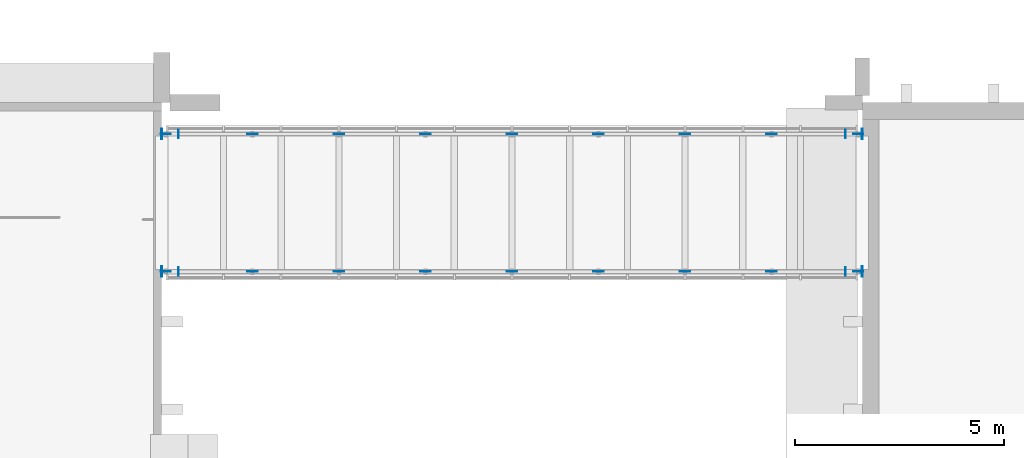
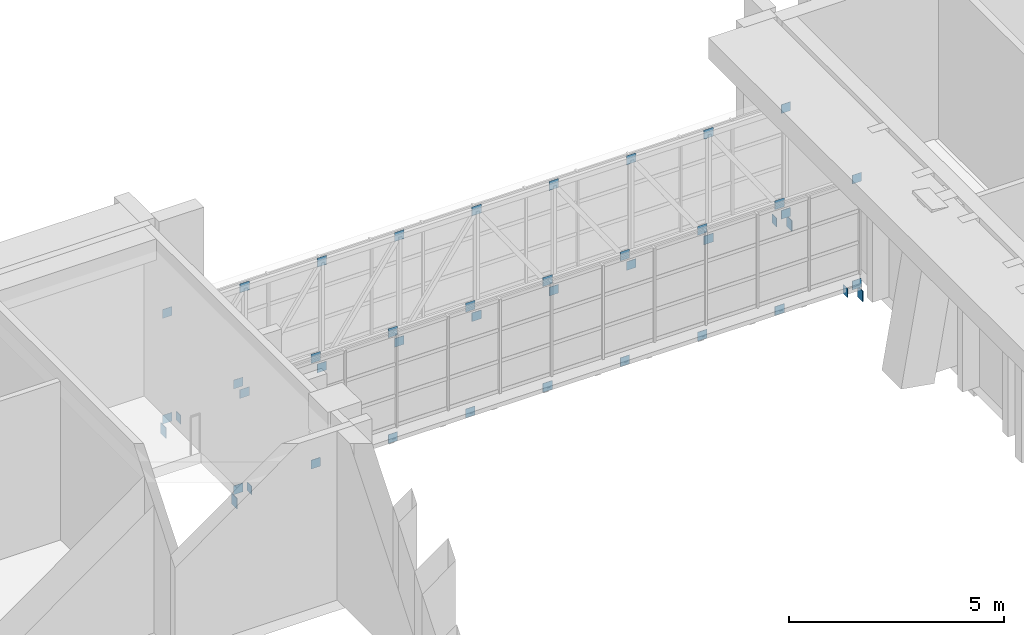
# One storey, part 40 of 86: 44 plates.
"""IFC4 building model written with IfcOpenShell, lengths in metres."""

from ifc_helpers import new_model, si_unit, direction, frame, origin, origin_2d, place, context, subcontext, project, spatial, rectangle, extrude, material, layer, layer_set, type_object, element, save


model = new_model("IFC4")

# Units and contexts
model_context = context("Model", 3, precision=1e-05, world=origin(), true_north=direction((0.0, 1.0)))
body_context = subcontext(model_context, "Body", "Model", "MODEL_VIEW")
ifc_project = project(units=[si_unit("LENGTHUNIT", "METRE"), si_unit("AREAUNIT", "SQUARE_METRE"), si_unit("VOLUMEUNIT", "CUBIC_METRE"), si_unit("PLANEANGLEUNIT", "RADIAN"), si_unit("MASSUNIT", "GRAM", prefix="KILO")], contexts=[model_context])

# Site, building, storey
site_placement = place(None, origin())
site = spatial("IfcSite", under=ifc_project, at=site_placement, CompositionType="ELEMENT")
building_placement = place(site_placement, origin())
building = spatial("IfcBuilding", under=site, at=building_placement, Name="Kiln Court Media Centre", CompositionType="ELEMENT")
storey_placement = place(building_placement, frame((0.0, 0.0, 10.199951171875)))
storey = spatial("IfcBuildingStorey", under=building, at=storey_placement, Name="L02", CompositionType="ELEMENT", Elevation=10.199951171875)

# Plates
ifc_material_1 = material(Name="Steel ASTM A572 Gr 50", Category="steel")
ifc_layer_1 = layer(ifc_material_1, 0.011962890625)
ifc_layer_set_1 = layer_set([ifc_layer_1], Name="Steel ASTM A572 Gr 50 12x200x250 connection plate")
plate_type_1 = type_object("IfcPlateType", Name="Steel ASTM A572 Gr 50 12x200x250 connection plate", PredefinedType="USERDEFINED", material=ifc_layer_set_1)
for number, where, z_axis, x_axis, name in (
    (1, (101.2060546875, 63.14990234375, -0.619873046875), (0.0, 0.0, 1.0), (1.0, 0.0, 0.0), "bridge BR-4 side truss 1 end 1 seat beam connection plate"),
    (2, (117.194091796875, 63.14990234375, -0.619873046875), (0.0, 0.0, 1.0), (1.0, 0.0, 0.0), "bridge BR-4 side truss 1 end 2 seat beam connection plate"),
    (3, (101.2060546875, 66.449951171875, -0.619873046875), (0.0, 0.0, 1.0), (1.0, 0.0, 0.0), "bridge BR-4 side truss 2 end 1 seat beam connection plate"),
    (4, (117.194091796875, 66.449951171875, -0.619873046875), (0.0, 0.0, 1.0), (1.0, 0.0, 0.0), "bridge BR-4 side truss 2 end 2 seat beam connection plate"),
):
    element("IfcPlate", number, at=place(storey_placement, frame(where, z_axis=z_axis, x_axis=x_axis)), inside=storey, type_object=plate_type_1, Name=name, ObjectType="CONNECTION PLATE", PredefinedType="USERDEFINED", context=body_context, shape_type="SweptSolid", body=[
        extrude(rectangle(XDim=0.011962890625, YDim=0.199951171875, at=origin_2d()), origin(), (0.0, 0.0, 1.0), 0.25),
    ])
ifc_material_2 = material(Name="Steel ASTM A572 Gr 50", Category="steel")
ifc_layer_2 = layer(ifc_material_2, 0.02001953125)
ifc_layer_set_2 = layer_set([ifc_layer_2], Name="Steel ASTM A572 Gr 50 20x250x300 seat bracket plate")
plate_type_2 = type_object("IfcPlateType", Name="Steel ASTM A572 Gr 50 20x250x300 seat bracket plate", PredefinedType="USERDEFINED", material=ifc_layer_set_2)
for number, where, z_axis, x_axis, name in (
    (5, (100.804931640625, 63.14990234375, -0.8662109375), (0.0, 0.0, 1.0), (1.0, 0.0, 0.0), "bridge BR-4 side truss 1 end 1 seat bracket plate"),
    (6, (117.594970703125, 63.14990234375, -0.8662109375), (0.0, 0.0, 1.0), (1.0, 0.0, 0.0), "bridge BR-4 side truss 1 end 2 seat bracket plate"),
    (7, (100.804931640625, 66.449951171875, -0.8662109375), (0.0, 0.0, 1.0), (1.0, 0.0, 0.0), "bridge BR-4 side truss 2 end 1 seat bracket plate"),
    (8, (117.594970703125, 66.449951171875, -0.8662109375), (0.0, 0.0, 1.0), (1.0, 0.0, 0.0), "bridge BR-4 side truss 2 end 2 seat bracket plate"),
):
    element("IfcPlate", number, at=place(storey_placement, frame(where, z_axis=z_axis, x_axis=x_axis)), inside=storey, type_object=plate_type_2, Name=name, ObjectType="SEAT BRACKET PLATE", PredefinedType="USERDEFINED", context=body_context, shape_type="SweptSolid", body=[
        extrude(rectangle(XDim=0.02001953125, YDim=0.25, at=origin_2d()), origin(), (0.0, 0.0, 1.0), 0.300048828125),
    ])
ifc_material_3 = material(Name="Steel ASTM A572 Gr 50", Category="steel")
ifc_layer_3 = layer(ifc_material_3, 0.010009765625)
ifc_layer_set_3 = layer_set([ifc_layer_3], Name="Steel ASTM A572 Gr 50 250x250x10 connection plate BR")
plate_type_3 = type_object("IfcPlateType", Name="Steel ASTM A572 Gr 50 250x250x10 connection plate BR", PredefinedType="USERDEFINED", material=ifc_layer_set_3)
for number, where, z_axis, x_axis, name in (
    (9, (100.89990234375, 63.14990234375, -0.52490234375), (0.0, 0.0, 1.0), (1.0, 0.0, 0.0), "BR node connection plate"),
    (10, (100.89990234375, 63.14990234375, 2.47509765625), (0.0, 0.0, 1.0), (1.0, 0.0, 0.0), "BR node connection plate"),
    (11, (100.89990234375, 66.449951171875, -0.52490234375), (0.0, 0.0, 1.0), (1.0, 0.0, 0.0), "BR node connection plate"),
    (12, (100.89990234375, 66.449951171875, 2.47509765625), (0.0, 0.0, 1.0), (1.0, 0.0, 0.0), "BR node connection plate"),
    (13, (102.97509765625, 63.14990234375, -0.52490234375), (0.0, 0.0, 1.0), (1.0, 0.0, 0.0), "BR node connection plate"),
    (14, (102.97509765625, 63.14990234375, 2.47509765625), (0.0, 0.0, 1.0), (1.0, 0.0, 0.0), "BR node connection plate"),
    (15, (102.97509765625, 66.449951171875, -0.52490234375), (0.0, 0.0, 1.0), (1.0, 0.0, 0.0), "BR node connection plate"),
    (16, (102.97509765625, 66.449951171875, 2.47509765625), (0.0, 0.0, 1.0), (1.0, 0.0, 0.0), "BR node connection plate"),
    (17, (105.050048828125, 63.14990234375, -0.52490234375), (0.0, 0.0, 1.0), (1.0, 0.0, 0.0), "BR node connection plate"),
    (18, (105.050048828125, 63.14990234375, 2.47509765625), (0.0, 0.0, 1.0), (1.0, 0.0, 0.0), "BR node connection plate"),
    (19, (105.050048828125, 66.449951171875, -0.52490234375), (0.0, 0.0, 1.0), (1.0, 0.0, 0.0), "BR node connection plate"),
    (20, (105.050048828125, 66.449951171875, 2.47509765625), (0.0, 0.0, 1.0), (1.0, 0.0, 0.0), "BR node connection plate"),
    (21, (107.125, 63.14990234375, -0.52490234375), (0.0, 0.0, 1.0), (1.0, 0.0, 0.0), "BR node connection plate"),
    (22, (107.125, 63.14990234375, 2.47509765625), (0.0, 0.0, 1.0), (1.0, 0.0, 0.0), "BR node connection plate"),
    (23, (107.125, 66.449951171875, -0.52490234375), (0.0, 0.0, 1.0), (1.0, 0.0, 0.0), "BR node connection plate"),
    (24, (107.125, 66.449951171875, 2.47509765625), (0.0, 0.0, 1.0), (1.0, 0.0, 0.0), "BR node connection plate"),
    (25, (109.199951171875, 63.14990234375, -0.52490234375), (0.0, 0.0, 1.0), (1.0, 0.0, 0.0), "BR node connection plate"),
    (26, (109.199951171875, 63.14990234375, 2.47509765625), (0.0, 0.0, 1.0), (1.0, 0.0, 0.0), "BR node connection plate"),
    (27, (109.199951171875, 66.449951171875, -0.52490234375), (0.0, 0.0, 1.0), (1.0, 0.0, 0.0), "BR node connection plate"),
    (28, (109.199951171875, 66.449951171875, 2.47509765625), (0.0, 0.0, 1.0), (1.0, 0.0, 0.0), "BR node connection plate"),
    (29, (111.27490234375, 63.14990234375, -0.52490234375), (0.0, 0.0, 1.0), (1.0, 0.0, 0.0), "BR node connection plate"),
    (30, (111.27490234375, 63.14990234375, 2.47509765625), (0.0, 0.0, 1.0), (1.0, 0.0, 0.0), "BR node connection plate"),
    (31, (111.27490234375, 66.449951171875, -0.52490234375), (0.0, 0.0, 1.0), (1.0, 0.0, 0.0), "BR node connection plate"),
    (32, (111.27490234375, 66.449951171875, 2.47509765625), (0.0, 0.0, 1.0), (1.0, 0.0, 0.0), "BR node connection plate"),
    (33, (113.35009765625, 63.14990234375, -0.52490234375), (0.0, 0.0, 1.0), (1.0, 0.0, 0.0), "BR node connection plate"),
    (34, (113.35009765625, 63.14990234375, 2.47509765625), (0.0, 0.0, 1.0), (1.0, 0.0, 0.0), "BR node connection plate"),
    (35, (113.35009765625, 66.449951171875, -0.52490234375), (0.0, 0.0, 1.0), (1.0, 0.0, 0.0), "BR node connection plate"),
    (36, (113.35009765625, 66.449951171875, 2.47509765625), (0.0, 0.0, 1.0), (1.0, 0.0, 0.0), "BR node connection plate"),
    (37, (115.425048828125, 63.14990234375, -0.52490234375), (0.0, 0.0, 1.0), (1.0, 0.0, 0.0), "BR node connection plate"),
    (38, (115.425048828125, 63.14990234375, 2.47509765625), (0.0, 0.0, 1.0), (1.0, 0.0, 0.0), "BR node connection plate"),
    (39, (115.425048828125, 66.449951171875, -0.52490234375), (0.0, 0.0, 1.0), (1.0, 0.0, 0.0), "BR node connection plate"),
    (40, (115.425048828125, 66.449951171875, 2.47509765625), (0.0, 0.0, 1.0), (1.0, 0.0, 0.0), "BR node connection plate"),
    (41, (117.5, 63.14990234375, -0.52490234375), (0.0, 0.0, 1.0), (1.0, 0.0, 0.0), "BR node connection plate"),
    (42, (117.5, 63.14990234375, 2.47509765625), (0.0, 0.0, 1.0), (1.0, 0.0, 0.0), "BR node connection plate"),
    (43, (117.5, 66.449951171875, -0.52490234375), (0.0, 0.0, 1.0), (1.0, 0.0, 0.0), "BR node connection plate"),
    (44, (117.5, 66.449951171875, 2.47509765625), (0.0, 0.0, 1.0), (1.0, 0.0, 0.0), "BR node connection plate"),
):
    element("IfcPlate", number, at=place(storey_placement, frame(where, z_axis=z_axis, x_axis=x_axis)), inside=storey, type_object=plate_type_3, Name=name, ObjectType="CONNECTION PLATE", PredefinedType="USERDEFINED", context=body_context, shape_type="SweptSolid", body=[
        extrude(rectangle(XDim=0.25, YDim=0.010009765625, at=origin_2d()), origin(), (0.0, 0.0, 1.0), 0.25),
    ])

save(model, "model.ifc")
